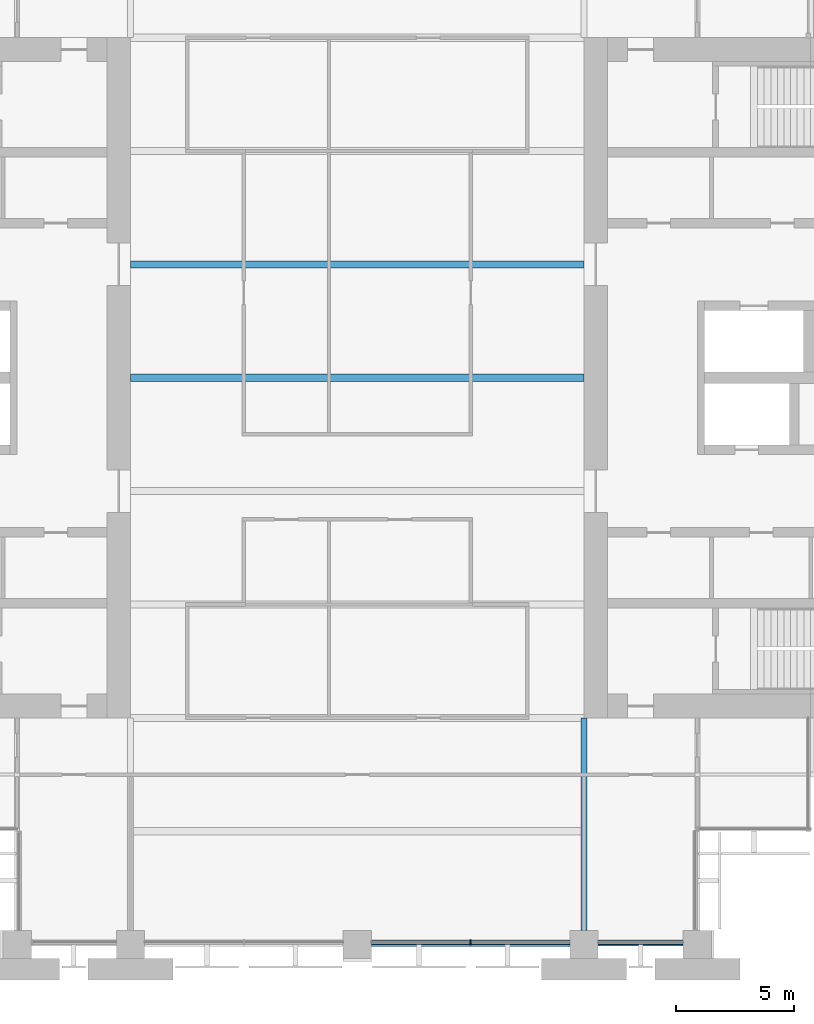
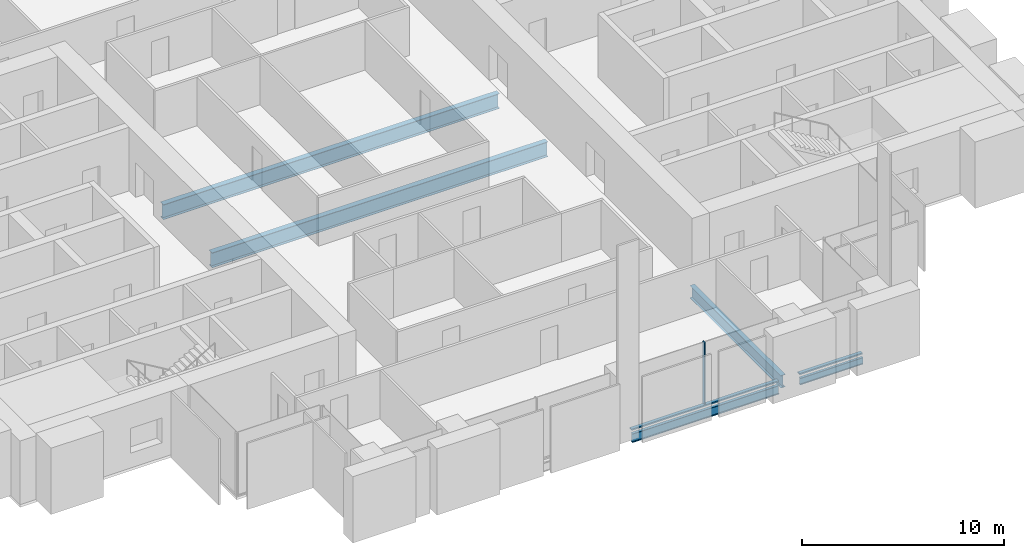
# One storey, part 3 of 14: 5 beams, 3 members, 1 element without a shape of its own.
"""IFC4 building model written with IfcOpenShell, lengths in metres."""

import ifcopenshell
import ifcopenshell.guid

model = None  # the IFC model being written
_history = None  # IfcOwnerHistory: only IFC2X3 demands one
_inside = {}  # id of a spatial element -> (the spatial element, [elements in it])
_under = {}  # id of a project, library or spatial element -> (it, [spatial elements below it])
_declared = {}  # id of a project -> (the project, [libraries it declares])
_typed = {}  # id of a type object -> (the type object, [elements of that type])
_made_of = {}  # id of a material, layer set ... -> (it, [elements and type objects made of it])


def new_model(schema):
    """Start an empty IFC model of exactly this schema.

    Asked for "IFC4X3", IfcOpenShell would pick the latest addendum, in which some entities
    have other attributes; the version numbers below select the first issue.
    IFC2X3 requires an IfcOwnerHistory on every rooted entity: one is made here for all.
    """
    global model, _history
    if schema == "IFC4X3":
        model = ifcopenshell.file(schema_version=(4, 3, 0, 0))
    else:
        model = ifcopenshell.file(schema=schema)
    _inside.clear()
    _under.clear()
    _declared.clear()
    _typed.clear()
    _made_of.clear()
    _history = None
    if model.schema == "IFC2X3":
        org = make("IfcOrganization", Name="unknown")
        user = make(
            "IfcPersonAndOrganization",
            ThePerson=make("IfcPerson", FamilyName="unknown"),
            TheOrganization=org,
        )
        app = make(
            "IfcApplication",
            ApplicationDeveloper=org,
            Version="unknown",
            ApplicationFullName="unknown",
            ApplicationIdentifier="unknown",
        )
        _history = make(
            "IfcOwnerHistory",
            OwningUser=user,
            OwningApplication=app,
            ChangeAction="ADDED",
            CreationDate=0,
        )
    return model


def make(cls, **values):
    """One entity of the class cls with the attributes given. An attribute that is None is left unset."""
    return model.create_entity(
        cls, **{name: value for name, value in values.items() if value is not None}
    )


def rooted(cls, **values):
    """An entity with a GlobalId (a new one), such as an element, a storey or a relation."""
    return make(cls, GlobalId=ifcopenshell.guid.new(), OwnerHistory=_history, **values)


def si_unit(unit_type, name, prefix=None):
    """IfcSIUnit, for example si_unit("LENGTHUNIT", "METRE", prefix="MILLI")."""
    return make("IfcSIUnit", UnitType=unit_type, Prefix=prefix, Name=name)


def assignment(units):
    """IfcUnitAssignment: the units of a project."""
    return None if units is None else make("IfcUnitAssignment", Units=units)


def point(xyz):
    """IfcCartesianPoint."""
    return None if xyz is None else make("IfcCartesianPoint", Coordinates=xyz)


def direction(xyz):
    """IfcDirection."""
    return None if xyz is None else make("IfcDirection", DirectionRatios=xyz)


def frame(location, z_axis=None, x_axis=None):
    """IfcAxis2Placement3D, a coordinate frame: its origin and axes. An axis left out is left unset."""
    return make(
        "IfcAxis2Placement3D",
        Location=point(location),
        Axis=direction(z_axis),
        RefDirection=direction(x_axis),
    )


def frame_2d(location, x_axis=None):
    """IfcAxis2Placement2D, a coordinate frame in the plane: its origin and x axis."""
    return make(
        "IfcAxis2Placement2D", Location=point(location), RefDirection=direction(x_axis)
    )


def origin():
    """The frame at (0, 0, 0) with its axes left unset."""
    return frame((0.0, 0.0, 0.0))


def origin_2d():
    """The frame at (0, 0) in the plane with its x axis left unset."""
    return frame_2d((0.0, 0.0))


def place(relative_to, where):
    """IfcLocalPlacement: puts the frame where relative to a parent placement (None: the world)."""
    return make(
        "IfcLocalPlacement", PlacementRelTo=relative_to, RelativePlacement=where
    )


def context(
    kind, dimensions, precision=None, world=None, true_north=None, identifier=None
):
    """IfcGeometricRepresentationContext, for example the 3D "Model" context."""
    return make(
        "IfcGeometricRepresentationContext",
        ContextIdentifier=identifier,
        ContextType=kind,
        CoordinateSpaceDimension=dimensions,
        Precision=precision,
        WorldCoordinateSystem=world,
        TrueNorth=true_north,
    )


def subcontext(parent, identifier, kind, view, scale=None):
    """IfcGeometricRepresentationSubContext, for example "Body" below "Model"."""
    return make(
        "IfcGeometricRepresentationSubContext",
        ContextIdentifier=identifier,
        ContextType=kind,
        ParentContext=parent,
        TargetScale=scale,
        TargetView=view,
    )


def project(units=None, contexts=None):
    """IfcProject with its units and contexts."""
    return rooted(
        "IfcProject",
        Name="project",
        RepresentationContexts=contexts,
        UnitsInContext=assignment(units),
    )


def spatial(cls, under=None, at=None, **own):
    """A site, building, storey or space (cls), placed at a placement, below another one or the project."""
    s = rooted(cls, ObjectPlacement=at, **own)
    if under is not None:
        _under.setdefault(under.id(), (under, []))[1].append(s)
    return s


def profile(cls, at=None, kind="AREA", **sizes):
    """A parametric profile (cls). Its sizes go by their IFC names, for example OverallWidth=200.0."""
    return make(cls, ProfileType=kind, Position=at, **sizes)


def rectangle(**sizes):
    """IfcRectangleProfileDef."""
    return profile("IfcRectangleProfileDef", **sizes)


def i_section(**sizes):
    """IfcIShapeProfileDef."""
    return profile("IfcIShapeProfileDef", **sizes)


def extrude(swept, where, along, depth):
    """IfcExtrudedAreaSolid: the profile swept, set in the frame where, extruded along a direction by depth."""
    return make(
        "IfcExtrudedAreaSolid",
        SweptArea=swept,
        Position=where,
        ExtrudedDirection=direction(along),
        Depth=depth,
    )


def shape(context_of_items, identifier, shape_type, items):
    """IfcShapeRepresentation: the items that make up one representation, for example the "Body"."""
    return make(
        "IfcShapeRepresentation",
        ContextOfItems=context_of_items,
        RepresentationIdentifier=identifier,
        RepresentationType=shape_type,
        Items=items,
    )


def material(Name=None, Category=None):
    """IfcMaterial."""
    return make("IfcMaterial", Name=Name, Category=Category)


def material_profile(
    of_material, cross_section, Name=None, Category=None, Priority=None
):
    """IfcMaterialProfile: a cross section and its material."""
    return make(
        "IfcMaterialProfile",
        Name=Name,
        Material=of_material,
        Profile=cross_section,
        Priority=Priority,
        Category=Category,
    )


def profile_set(profiles, Name=None, composite=None):
    """IfcMaterialProfileSet."""
    return make(
        "IfcMaterialProfileSet",
        Name=Name,
        MaterialProfiles=profiles,
        CompositeProfile=composite,
    )


def made_of(thing, what):
    """Note that an element or type object is made of a material, layer set ...; save() writes the relation."""
    if what is not None:
        _made_of.setdefault(what.id(), (what, []))[1].append(thing)
    return thing


def type_object(cls, material=None, **own):
    """A type object (cls), such as IfcWallType, which elements share."""
    return made_of(rooted(cls, **own), material)


def element(
    cls,
    number,
    at=None,
    inside=None,
    cuts=None,
    type_object=None,
    material=None,
    context=None,
    identifier="Body",
    shape_type=None,
    held_by="IfcProductDefinitionShape",
    body=None,
    shapes=None,
    **own,
):
    """One element of the class cls, such as IfcWall. Its Tag is "e" and its number.

    at: its placement. inside: the storey or other place that contains it. cuts: it is an
    opening in that element (IfcRelVoidsElement). A single representation is given by context,
    identifier, shape_type and body (its items); several are given by shapes. held_by: the class
    of the entity that holds the representations. save() writes the other relations.
    """
    e = rooted(cls, Tag="e%d" % number, ObjectPlacement=at, **own)
    if body is not None:
        shapes = [shape(context, identifier, shape_type, body)]
    if shapes is not None:
        e.Representation = make(held_by, Representations=shapes)
    if inside is not None:
        _inside.setdefault(inside.id(), (inside, []))[1].append(e)
    if cuts is not None:
        rooted(
            "IfcRelVoidsElement", RelatingBuildingElement=cuts, RelatedOpeningElement=e
        )
    if type_object is not None:
        _typed.setdefault(type_object.id(), (type_object, []))[1].append(e)
    return made_of(e, material)


def aggregate(whole, parts):
    """IfcRelAggregates: a whole, such as a stair, and the parts it consists of."""
    return rooted("IfcRelAggregates", RelatingObject=whole, RelatedObjects=parts)


def save(model, path):
    """Write the relations noted so far, then the file.

    IfcRelAggregates (storeys below a building ...), IfcRelContainedInSpatialStructure (elements
    in a storey), IfcRelDefinesByType, IfcRelAssociatesMaterial and IfcRelDeclares: one each for
    every whole, place, type object, material and project.
    """
    for whole, parts in _under.values():
        aggregate(whole, parts)
    for where, things in _inside.values():
        rooted(
            "IfcRelContainedInSpatialStructure",
            RelatedElements=things,
            RelatingStructure=where,
        )
    for kind, things in _typed.values():
        rooted("IfcRelDefinesByType", RelatedObjects=things, RelatingType=kind)
    for what, things in _made_of.values():
        rooted("IfcRelAssociatesMaterial", RelatedObjects=things, RelatingMaterial=what)
    for by, libraries in _declared.values():
        rooted("IfcRelDeclares", RelatingContext=by, RelatedDefinitions=libraries)
    model.write(path)


model = new_model("IFC4")

# Units and contexts
model_context = context("Model", 3, precision=1e-05, world=origin(), true_north=direction((0.0, 1.0)))
body_context = subcontext(model_context, "Body", "Model", "MODEL_VIEW")
ifc_project = project(units=[si_unit("LENGTHUNIT", "METRE"), si_unit("AREAUNIT", "SQUARE_METRE"), si_unit("VOLUMEUNIT", "CUBIC_METRE"), si_unit("PLANEANGLEUNIT", "RADIAN"), si_unit("MASSUNIT", "GRAM", prefix="KILO")], contexts=[model_context])

# Site, building, storey
site_placement = place(None, origin())
site = spatial("IfcSite", under=ifc_project, at=site_placement, CompositionType="ELEMENT")
building_placement = place(site_placement, origin())
building = spatial("IfcBuilding", under=site, at=building_placement, Name="Baori Bourse Tower", CompositionType="ELEMENT")
storey_placement = place(building_placement, frame((0.0, 0.0, 144.10009765625)))
storey = spatial("IfcBuildingStorey", under=building, at=storey_placement, Name="L31", CompositionType="ELEMENT", Elevation=144.10009765625)

# Curtain wall, members
ifc_material_1 = material(Name="Pale anodised aluminium", Category="aluminium")
curtain_wall_type = type_object("IfcCurtainWallType", Name="CW1 Curtain wall", PredefinedType="NOTDEFINED", material=ifc_material_1)
curtain_wall_placement = place(storey_placement, origin())
curtain_wall = element("IfcCurtainWall", 1, at=curtain_wall_placement, inside=storey, type_object=curtain_wall_type, Name="Curtain wall CW1 L31 11", PredefinedType="NOTDEFINED")
ifc_material_2 = material(Name="Pale anodised aluminium", Category="aluminium")
ifc_material_profile_1 = material_profile(ifc_material_2, rectangle(XDim=0.199951171875, YDim=0.06005859375, at=origin_2d()), Name="Mullion 60x200")
ifc_profile_set_1 = profile_set([ifc_material_profile_1], Name="Pale anodised aluminium")
member_type_1 = type_object("IfcMemberType", Name="CW1 Curtain wall mullion", PredefinedType="MULLION", material=ifc_profile_set_1)
member_1_placement = place(storey_placement, frame((33.60009765625, 0.10009765625, 0.079833984375), z_axis=(0.0, 0.0, 1.0), x_axis=(0.0, 1.0, 0.0)))
member_1 = element("IfcMember", 2, at=member_1_placement, type_object=member_type_1, Name="Curtain wall CW1 mullion", PredefinedType="MULLION", context=body_context, shape_type="SweptSolid", body=[
    extrude(rectangle(XDim=0.199951171875, YDim=0.06005859375, at=origin_2d()), origin(), (0.0, 0.0, 1.0), 3.760009765625),
])
ifc_material_3 = material(Name="Pale anodised aluminium", Category="aluminium")
ifc_material_profile_2 = material_profile(ifc_material_3, rectangle(XDim=0.199951171875, YDim=0.080078125, at=origin_2d()), Name="Transom 80x200")
ifc_profile_set_2 = profile_set([ifc_material_profile_2], Name="Pale anodised aluminium")
member_type_2 = type_object("IfcMemberType", Name="CW1 Curtain wall transom", PredefinedType="USERDEFINED", material=ifc_profile_set_2)
member_2_placement = place(storey_placement, frame((29.39990234375, 0.10009765625, 0.039794921875), z_axis=(1.0, 0.0, 0.0), x_axis=(0.0, 1.0, 0.0)))
member_2 = element("IfcMember", 3, at=member_2_placement, type_object=member_type_2, Name="Curtain wall CW1 sill rail", ObjectType="TRANSOM", PredefinedType="USERDEFINED", context=body_context, shape_type="SweptSolid", body=[
    extrude(rectangle(XDim=0.199951171875, YDim=0.080078125, at=origin_2d()), origin(), (0.0, 0.0, 1.0), 8.400146484375),
])
member_3_placement = place(storey_placement, frame((39.0, 0.10009765625, 0.039794921875), z_axis=(1.0, 0.0, 0.0), x_axis=(0.0, 1.0, 0.0)))
member_3 = element("IfcMember", 4, at=member_3_placement, type_object=member_type_2, Name="Curtain wall CW1 sill rail", ObjectType="TRANSOM", PredefinedType="USERDEFINED", context=body_context, shape_type="SweptSolid", body=[
    extrude(rectangle(XDim=0.199951171875, YDim=0.080078125, at=origin_2d()), origin(), (0.0, 0.0, 1.0), 3.60009765625),
])
aggregate(curtain_wall, [member_2, member_1, member_3])

# Beams
ifc_material_4 = material(Name="Steel A992 Gr 50", Category="steel")
ifc_material_profile_3 = material_profile(ifc_material_4, i_section(OverallWidth=0.140380859375, OverallDepth=0.40380859375, WebThickness=0.007080078125, FlangeThickness=0.01123046875, at=origin_2d()), Name="W16x31")
ifc_profile_set_3 = profile_set([ifc_material_profile_3], Name="Steel A992 Gr 50")
beam_type_1 = type_object("IfcBeamType", Name="Edge beam W16x31", PredefinedType="BEAM", material=ifc_profile_set_3)
beam_1_placement = place(storey_placement, frame((39.0, 0.0, -0.362060546875), z_axis=(1.0, 0.0, 0.0), x_axis=(0.0, 1.0, 0.0)))
element("IfcBeam", 5, at=beam_1_placement, inside=storey, type_object=beam_type_1, Name="Edge beam L31", PredefinedType="BEAM", context=body_context, shape_type="SweptSolid", body=[
    extrude(i_section(OverallWidth=0.140380859375, OverallDepth=0.40380859375, WebThickness=0.007080078125, FlangeThickness=0.01123046875, at=origin_2d()), origin(), (0.0, 0.0, 1.0), 3.60009765625),
])
ifc_material_5 = material(Name="Steel A992 Gr 50", Category="steel")
ifc_material_profile_4 = material_profile(ifc_material_5, i_section(OverallWidth=0.1650390625, OverallDepth=0.52587890625, WebThickness=0.0087890625, FlangeThickness=0.011474609375, at=origin_2d()), Name="W21x44")
ifc_profile_set_4 = profile_set([ifc_material_profile_4], Name="Steel A992 Gr 50")
beam_type_2 = type_object("IfcBeamType", Name="Edge beam W21x44", PredefinedType="BEAM", material=ifc_profile_set_4)
beam_2_placement = place(storey_placement, frame((29.39990234375, 0.0, -0.423095703125), z_axis=(1.0, 0.0, 0.0), x_axis=(0.0, 1.0, 0.0)))
element("IfcBeam", 6, at=beam_2_placement, inside=storey, type_object=beam_type_2, Name="Edge beam L31", PredefinedType="BEAM", context=body_context, shape_type="SweptSolid", body=[
    extrude(i_section(OverallWidth=0.1650390625, OverallDepth=0.52587890625, WebThickness=0.0087890625, FlangeThickness=0.011474609375, at=origin_2d()), origin(), (0.0, 0.0, 1.0), 8.400146484375),
])
ifc_material_6 = material(Name="Steel A992 Gr 50", Category="steel")
ifc_material_profile_5 = material_profile(ifc_material_6, i_section(OverallWidth=0.3046875, OverallDepth=0.904296875, WebThickness=0.01513671875, FlangeThickness=0.02001953125, at=origin_2d()), Name="W36x135")
ifc_profile_set_5 = profile_set([ifc_material_profile_5], Name="Steel A992 Gr 50")
beam_type_3 = type_object("IfcBeamType", Name="Floor beam W36x135", PredefinedType="BEAM", material=ifc_profile_set_5)
for number, where, z_axis, x_axis, name in (
    (7, (19.199951171875, 24.0, -0.6123046875), (1.0, 0.0, 0.0), (0.0, 1.0, 0.0), "Floor beam L31"),
    (8, (19.199951171875, 28.800048828125, -0.6123046875), (1.0, 0.0, 0.0), (0.0, 1.0, 0.0), "Floor beam L31"),
):
    element("IfcBeam", number, at=place(storey_placement, frame(where, z_axis=z_axis, x_axis=x_axis)), inside=storey, type_object=beam_type_3, Name=name, PredefinedType="BEAM", context=body_context, shape_type="SweptSolid", body=[
        extrude(i_section(OverallWidth=0.3046875, OverallDepth=0.904296875, WebThickness=0.01513671875, FlangeThickness=0.02001953125, at=origin_2d()), origin(), (0.0, 0.0, 1.0), 19.199951171875),
    ])
ifc_material_7 = material(Name="Steel A992 Gr 50", Category="steel")
ifc_material_profile_6 = material_profile(ifc_material_7, i_section(OverallWidth=0.26416015625, OverallDepth=0.749267578125, WebThickness=0.011962890625, FlangeThickness=0.015380859375, at=origin_2d()), Name="W30x90")
ifc_profile_set_6 = profile_set([ifc_material_profile_6], Name="Steel A992 Gr 50")
beam_type_4 = type_object("IfcBeamType", Name="Girder W30x90", PredefinedType="BEAM", material=ifc_profile_set_6)
beam_3_placement = place(storey_placement, frame((38.39990234375, 0.60009765625, -0.53466796875), z_axis=(0.0, 1.0, 0.0), x_axis=(-1.0, 0.0, 0.0)))
element("IfcBeam", 9, at=beam_3_placement, inside=storey, type_object=beam_type_4, Name="Girder L31", PredefinedType="BEAM", context=body_context, shape_type="SweptSolid", body=[
    extrude(i_section(OverallWidth=0.26416015625, OverallDepth=0.749267578125, WebThickness=0.011962890625, FlangeThickness=0.015380859375, at=origin_2d()), origin(), (0.0, 0.0, 1.0), 9.0),
])

save(model, "model.ifc")
